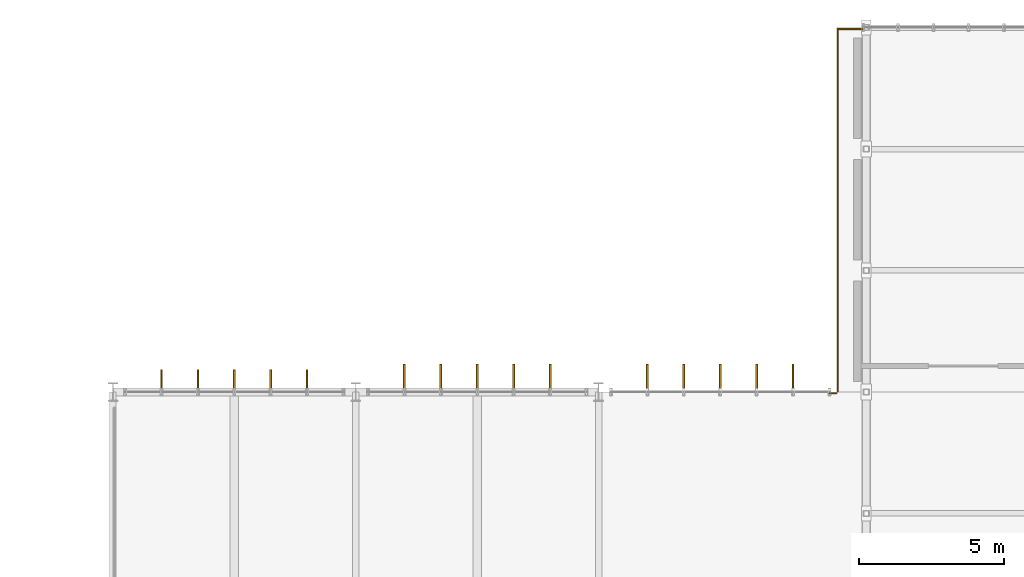
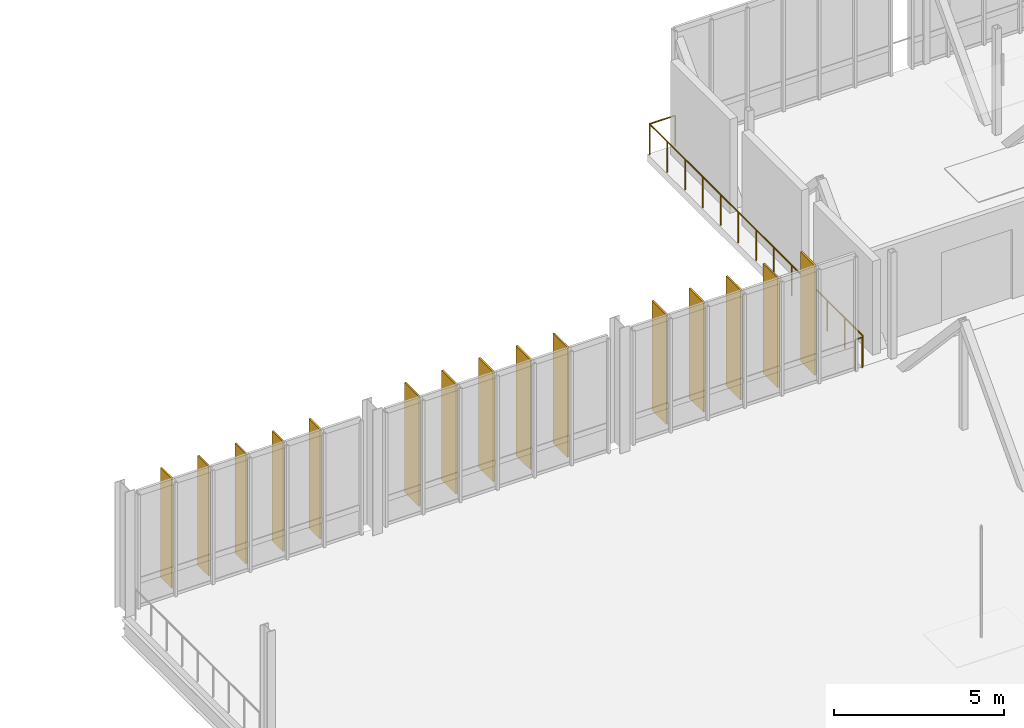
# One storey, part 136 of 139: 15 shading devices, 8 railings.
"""IFC4 building model written with IfcOpenShell, lengths in metres."""

from ifc_helpers import new_model, si_unit, derived_unit, direction, frame, origin, origin_2d, place, context, subcontext, project, spatial, rectangle, circle, extrude, material, layer, layer_set, type_object, element, save


model = new_model("IFC4")

# Units and contexts
model_context = context("Model", 3, precision=1e-05, world=origin(), true_north=direction((0.0, 1.0)))
body_context = subcontext(model_context, "Body", "Model", "MODEL_VIEW")
ifc_project = project(units=[si_unit("LENGTHUNIT", "METRE"), si_unit("AREAUNIT", "SQUARE_METRE"), si_unit("VOLUMEUNIT", "CUBIC_METRE"), si_unit("PLANEANGLEUNIT", "RADIAN"), si_unit("MASSUNIT", "GRAM", prefix="KILO"), derived_unit("THERMALTRANSMITTANCEUNIT", [(si_unit("MASSUNIT", "GRAM", prefix="KILO"), 1), (si_unit("TIMEUNIT", "SECOND"), -3), (si_unit("THERMODYNAMICTEMPERATUREUNIT", "KELVIN"), -1)])], contexts=[model_context])

# Site, building, storey
site_placement = place(None, origin())
site = spatial("IfcSite", under=ifc_project, at=site_placement, CompositionType="ELEMENT")
building_placement = place(site_placement, origin())
building = spatial("IfcBuilding", under=site, at=building_placement, Name="Makaiwela Harbour Ferry Terminal", CompositionType="ELEMENT")
storey_placement = place(building_placement, frame((0.0, 0.0, 5.10009765625)))
storey = spatial("IfcBuildingStorey", under=building, at=storey_placement, Name="L01", CompositionType="ELEMENT", Elevation=5.10009765625)

# Shading devices
ifc_material_1 = material(Name="Marine anodised aluminium 6063-T6", Category="aluminium")
ifc_layer_1 = layer(ifc_material_1, 0.054931640625)
ifc_layer_set_1 = layer_set([ifc_layer_1], Name="Marine anodised aluminium 6063-T6")
shading_device_type_1 = type_object("IfcShadingDeviceType", Name="ENV-FIN-650", PredefinedType="USERDEFINED", material=ifc_layer_set_1)
for number, where, z_axis, x_axis, name in (
    (1, (64.679931640625, 103.837890625, 0.161865234375), (0.0, 0.0, 1.0), (0.0, 1.0, 0.0), "Vertical Solar Fin SFN-0198"),
    (2, (65.93994140625, 103.837890625, 0.161865234375), (0.0, 0.0, 1.0), (0.0, 1.0, 0.0), "Vertical Solar Fin SFN-0199"),
    (3, (67.199951171875, 103.837890625, 0.161865234375), (0.0, 0.0, 1.0), (0.0, 1.0, 0.0), "Vertical Solar Fin SFN-0200"),
    (4, (68.4599609375, 103.837890625, 0.161865234375), (0.0, 0.0, 1.0), (0.0, 1.0, 0.0), "Vertical Solar Fin SFN-0201"),
    (5, (69.719970703125, 103.837890625, 0.161865234375), (0.0, 0.0, 1.0), (0.0, 1.0, 0.0), "Vertical Solar Fin SFN-0202"),
):
    element("IfcShadingDevice", number, at=place(storey_placement, frame(where, z_axis=z_axis, x_axis=x_axis)), inside=storey, type_object=shading_device_type_1, Name=name, ObjectType="SOLAR FIN", PredefinedType="USERDEFINED", context=body_context, shape_type="SweptSolid", body=[
        extrude(rectangle(XDim=0.64990234375, YDim=0.054931640625, at=origin_2d()), origin(), (0.0, 0.0, 1.0), 3.93994140625),
    ])
ifc_material_2 = material(Name="Thermally modified Accoya timber and anodised aluminium", Category="wood")
ifc_layer_2 = layer(ifc_material_2, 0.06005859375)
ifc_layer_set_2 = layer_set([ifc_layer_2], Name="Thermally modified Accoya timber and anodised aluminium")
shading_device_type_2 = type_object("IfcShadingDeviceType", Name="ENV-FIN-850", PredefinedType="USERDEFINED", material=ifc_layer_set_2)
for number, where, z_axis, x_axis, name in (
    (6, (73.080078125, 103.93798828125, 0.161865234375), (0.0, 0.0, 1.0), (0.0, 1.0, 0.0), "Vertical Solar Fin SFN-0203"),
    (7, (74.340087890625, 103.93798828125, 0.161865234375), (0.0, 0.0, 1.0), (0.0, 1.0, 0.0), "Vertical Solar Fin SFN-0204"),
    (8, (75.60009765625, 103.93798828125, 0.161865234375), (0.0, 0.0, 1.0), (0.0, 1.0, 0.0), "Vertical Solar Fin SFN-0205"),
    (9, (76.860107421875, 103.93798828125, 0.161865234375), (0.0, 0.0, 1.0), (0.0, 1.0, 0.0), "Vertical Solar Fin SFN-0206"),
    (10, (78.1201171875, 103.93798828125, 0.161865234375), (0.0, 0.0, 1.0), (0.0, 1.0, 0.0), "Vertical Solar Fin SFN-0207"),
    (11, (81.47998046875, 103.93798828125, 0.161865234375), (0.0, 0.0, 1.0), (0.0, 1.0, 0.0), "Vertical Solar Fin SFN-0223"),
    (12, (82.739990234375, 103.93798828125, 0.161865234375), (0.0, 0.0, 1.0), (0.0, 1.0, 0.0), "Vertical Solar Fin SFN-0224"),
    (13, (84.0, 103.93798828125, 0.161865234375), (0.0, 0.0, 1.0), (0.0, 1.0, 0.0), "Vertical Solar Fin SFN-0225"),
    (14, (85.260009765625, 103.93798828125, 0.161865234375), (0.0, 0.0, 1.0), (0.0, 1.0, 0.0), "Vertical Solar Fin SFN-0226"),
    (15, (86.52001953125, 103.93798828125, 0.161865234375), (0.0, 0.0, 1.0), (0.0, 1.0, 0.0), "Vertical Solar Fin SFN-0227"),
):
    element("IfcShadingDevice", number, at=place(storey_placement, frame(where, z_axis=z_axis, x_axis=x_axis)), inside=storey, type_object=shading_device_type_2, Name=name, ObjectType="SOLAR FIN", PredefinedType="USERDEFINED", context=body_context, shape_type="SweptSolid", body=[
        extrude(rectangle(XDim=0.85009765625, YDim=0.06005859375, at=origin_2d()), origin(), (0.0, 0.0, 1.0), 3.93994140625),
    ])

# Railings
ifc_material_3 = material(Name="Marine grade 316L brushed stainless steel", Category="steel")
railing_type = type_object("IfcRailingType", Name="INT-RL-GRD110", PredefinedType="GUARDRAIL", material=ifc_material_3)
railing_1_placement = place(storey_placement, frame((87.780029296875, 103.35498046875, 0.0)))
element("IfcRailing", 16, at=railing_1_placement, inside=storey, type_object=railing_type, Name="Deck edge guardrail RL-0304", PredefinedType="GUARDRAIL", context=body_context, shape_type="SweptSolid", body=[
    extrude(circle(Radius=0.02392578125, at=origin_2d()), frame((0.0, 0.0, 1.09619140625), z_axis=(0.999973527272, 0.007276314648, 0.0), x_axis=(-0.007276314648, 0.999973527272, 0.0)), (0.0, 0.0, 1.0), 0.23486328125),
    extrude(circle(Radius=0.02099609375, at=origin_2d()), origin(), (0.0, 0.0, 1.0), 1.072021484375),
    extrude(circle(Radius=0.02099609375, at=origin_2d()), frame((0.23486328125, 0.001708984375, 0.0)), (0.0, 0.0, 1.0), 1.072021484375),
])
railing_2_placement = place(storey_placement, frame((88.06494140625, 103.419921875, 0.0)))
element("IfcRailing", 17, at=railing_2_placement, inside=storey, type_object=railing_type, Name="Deck edge guardrail RL-0305", PredefinedType="GUARDRAIL", context=body_context, shape_type="SweptSolid", body=[
    extrude(circle(Radius=0.02392578125, at=origin_2d()), frame((0.0, 0.0, 1.09619140625), z_axis=(0.0, 1.0, 0.0), x_axis=(-1.0, 0.0, 0.0)), (0.0, 0.0, 1.0), 2.08935546875),
    extrude(circle(Radius=0.02099609375, at=origin_2d()), origin(), (0.0, 0.0, 1.0), 1.072021484375),
    extrude(circle(Radius=0.02099609375, at=origin_2d()), frame((0.0, 1.044677734375, 0.0)), (0.0, 0.0, 1.0), 1.072021484375),
    extrude(circle(Radius=0.02099609375, at=origin_2d()), frame((0.0, 2.08935546875, 0.0)), (0.0, 0.0, 1.0), 1.072021484375),
])
for number, where, name in (
    (18, (88.06494140625, 105.50927734375, 0.0), "Deck edge guardrail RL-0306"),
    (19, (88.06494140625, 107.598388671875, 0.0), "Deck edge guardrail RL-0307"),
    (20, (88.06494140625, 109.6875, 0.0), "Deck edge guardrail RL-0308"),
    (21, (88.06494140625, 111.776611328125, 0.0), "Deck edge guardrail RL-0309"),
):
    element("IfcRailing", number, at=place(storey_placement, frame(where)), inside=storey, type_object=railing_type, Name=name, PredefinedType="GUARDRAIL", context=body_context, shape_type="SweptSolid", body=[
        extrude(circle(Radius=0.02392578125, at=origin_2d()), frame((0.0, 0.0, 1.09619140625), z_axis=(0.0, 1.0, 0.0), x_axis=(-1.0, 0.0, 0.0)), (0.0, 0.0, 1.0), 2.089111328125),
        extrude(circle(Radius=0.02099609375, at=origin_2d()), origin(), (0.0, 0.0, 1.0), 1.072021484375),
        extrude(circle(Radius=0.02099609375, at=origin_2d()), frame((0.0, 1.04443359375, 0.0)), (0.0, 0.0, 1.0), 1.072021484375),
        extrude(circle(Radius=0.02099609375, at=origin_2d()), frame((0.0, 2.089111328125, 0.0)), (0.0, 0.0, 1.0), 1.072021484375),
    ])
railing_3_placement = place(storey_placement, frame((88.06494140625, 113.86572265625, 0.0)))
element("IfcRailing", 22, at=railing_3_placement, inside=storey, type_object=railing_type, Name="Deck edge guardrail RL-0310", PredefinedType="GUARDRAIL", context=body_context, shape_type="SweptSolid", body=[
    extrude(circle(Radius=0.02392578125, at=origin_2d()), frame((0.0, 0.0, 1.09619140625), z_axis=(0.0, 1.0, 0.0), x_axis=(-1.0, 0.0, 0.0)), (0.0, 0.0, 1.0), 2.08935546875),
    extrude(circle(Radius=0.02099609375, at=origin_2d()), origin(), (0.0, 0.0, 1.0), 1.072021484375),
    extrude(circle(Radius=0.02099609375, at=origin_2d()), frame((0.0, 1.044677734375, 0.0)), (0.0, 0.0, 1.0), 1.072021484375),
    extrude(circle(Radius=0.02099609375, at=origin_2d()), frame((0.0, 2.08935546875, 0.0)), (0.0, 0.0, 1.0), 1.072021484375),
])
railing_4_placement = place(storey_placement, frame((88.06494140625, 115.955078125, 0.0)))
element("IfcRailing", 23, at=railing_4_placement, inside=storey, type_object=railing_type, Name="Deck edge guardrail RL-0311", PredefinedType="GUARDRAIL", context=body_context, shape_type="SweptSolid", body=[
    extrude(circle(Radius=0.02392578125, at=origin_2d()), frame((0.0, 0.0, 1.09619140625), z_axis=(1.0, 0.0, 0.0), x_axis=(0.0, 1.0, 0.0)), (0.0, 0.0, 1.0), 0.864990234375),
    extrude(circle(Radius=0.02099609375, at=origin_2d()), origin(), (0.0, 0.0, 1.0), 1.072021484375),
    extrude(circle(Radius=0.02099609375, at=origin_2d()), frame((0.864990234375, 0.0, 0.0)), (0.0, 0.0, 1.0), 1.072021484375),
])

save(model, "model.ifc")
